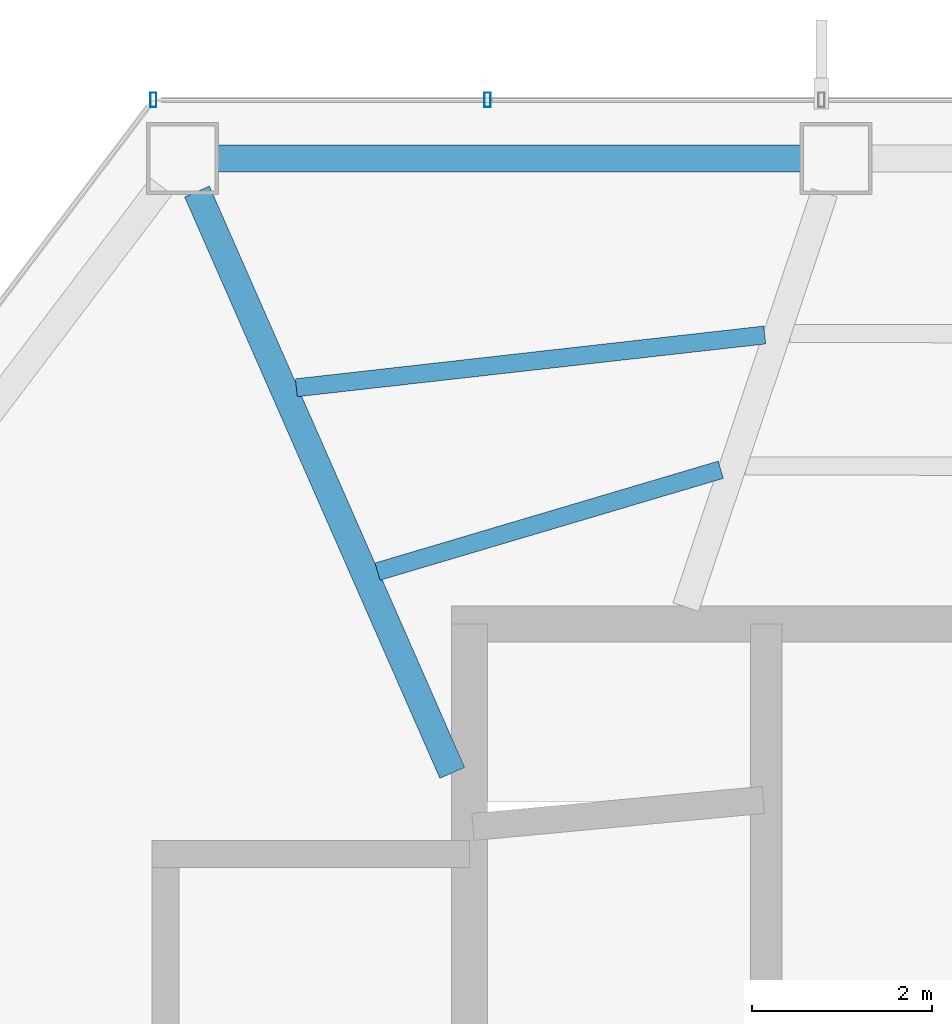
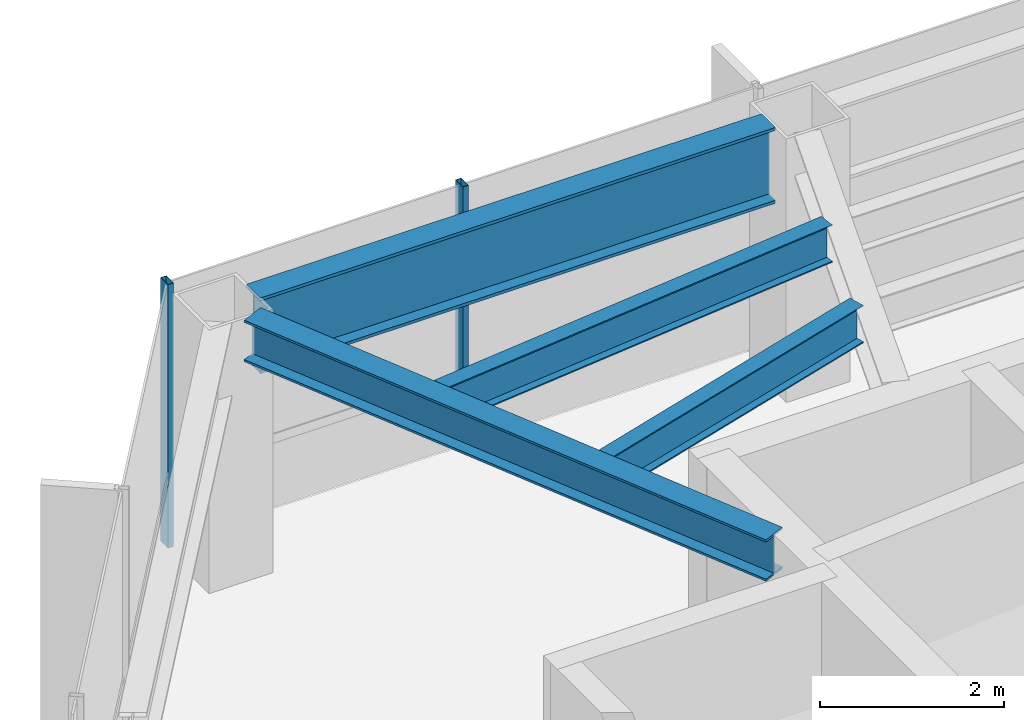
# One storey, part 11 of 28: 4 beams, 2 members, 1 element without a shape of its own.
"""IFC4 building model written with IfcOpenShell, lengths in metres."""

from ifc_helpers import new_model, si_unit, direction, frame, origin, origin_2d, place, context, subcontext, project, spatial, hollow_rectangle, i_section, extrude, material, layer, layer_set, material_profile, profile_set, type_object, element, aggregate, save


model = new_model("IFC4")

# Units and contexts
model_context = context("Model", 3, precision=1e-05, world=origin(), true_north=direction((0.0, 1.0)))
body_context = subcontext(model_context, "Body", "Model", "MODEL_VIEW")
ifc_project = project(units=[si_unit("LENGTHUNIT", "METRE"), si_unit("AREAUNIT", "SQUARE_METRE"), si_unit("VOLUMEUNIT", "CUBIC_METRE"), si_unit("PLANEANGLEUNIT", "RADIAN"), si_unit("MASSUNIT", "GRAM", prefix="KILO")], contexts=[model_context])

# Site, building, storey
site_placement = place(None, origin())
site = spatial("IfcSite", under=ifc_project, at=site_placement, CompositionType="ELEMENT")
building_placement = place(site_placement, origin())
building = spatial("IfcBuilding", under=site, at=building_placement, Name="Zarrinselat Tower", CompositionType="ELEMENT")
storey_placement = place(building_placement, frame((0.0, 0.0, 123.419921875)))
storey = spatial("IfcBuildingStorey", under=building, at=storey_placement, Name="L29", CompositionType="ELEMENT", Elevation=123.419921875)

# Beams
ifc_material_1 = material(Name="Steel S355J2", Category="steel")
ifc_material_profile_1 = material_profile(ifc_material_1, i_section(OverallWidth=0.300048828125, OverallDepth=0.550048828125, WebThickness=0.014892578125, FlangeThickness=0.029052734375, at=origin_2d()), Name="HEB 550")
ifc_profile_set_1 = profile_set([ifc_material_profile_1], Name="Steel S355J2")
beam_type_1 = type_object("IfcBeamType", Name="BM-HEB550", PredefinedType="BEAM", material=ifc_profile_set_1)
beam_1_placement = place(storey_placement, frame((25.578125, 48.24853515625, 3.22509765625), z_axis=(0.40207866755, -0.915605125096, 0.0), x_axis=(0.915605125096, 0.40207866755, 0.0)))
element("IfcBeam", 1, at=beam_1_placement, inside=storey, type_object=beam_type_1, Name="L29 Radial Primary Girder RG05", PredefinedType="BEAM", context=body_context, shape_type="SweptSolid", body=[
    extrude(i_section(OverallWidth=0.300048828125, OverallDepth=0.550048828125, WebThickness=0.014892578125, FlangeThickness=0.029052734375, at=origin_2d()), origin(), (0.0, 0.0, 1.0), 7.04296875),
])
ifc_material_2 = material(Name="Steel S460M", Category="steel")
ifc_material_profile_2 = material_profile(ifc_material_2, i_section(OverallWidth=0.302001953125, OverallDepth=1.008056640625, WebThickness=0.02099609375, FlangeThickness=0.0400390625, at=origin_2d()), Name="HEM 1000")
ifc_profile_set_2 = profile_set([ifc_material_profile_2], Name="Steel S460M")
beam_type_2 = type_object("IfcBeamType", Name="BM-HEM1000", PredefinedType="BEAM", material=ifc_profile_set_2)
beam_2_placement = place(storey_placement, frame((25.8046875, 48.61669921875, 2.99609375), z_axis=(1.0, 0.0, 0.0), x_axis=(0.0, 1.0, 0.0)))
element("IfcBeam", 2, at=beam_2_placement, inside=storey, type_object=beam_type_2, Name="L29 Perimeter Spandrel Girder SP04", PredefinedType="BEAM", context=body_context, shape_type="SweptSolid", body=[
    extrude(i_section(OverallWidth=0.302001953125, OverallDepth=1.008056640625, WebThickness=0.02099609375, FlangeThickness=0.0400390625, at=origin_2d()), origin(), (0.0, 0.0, 1.0), 6.473388671875),
])
ifc_material_3 = material(Name="Steel S355J2", Category="steel")
ifc_material_profile_3 = material_profile(ifc_material_3, i_section(OverallWidth=0.199951171875, OverallDepth=0.5, WebThickness=0.01025390625, FlangeThickness=0.01611328125, at=origin_2d()), Name="IPE 500")
ifc_profile_set_3 = profile_set([ifc_material_profile_3], Name="Steel S355J2")
beam_type_3 = type_object("IfcBeamType", Name="BM-IPE500", PredefinedType="JOIST", material=ifc_profile_set_3)
beam_3_placement = place(storey_placement, frame((26.68017578125, 46.07177734375, 3.25), z_axis=(0.993707108531, 0.112009742676, 0.0), x_axis=(-0.112009742676, 0.993707108531, 0.0)))
element("IfcBeam", 3, at=beam_3_placement, inside=storey, type_object=beam_type_3, Name="L29 Composite Floor Joist 9-1", PredefinedType="JOIST", context=body_context, shape_type="SweptSolid", body=[
    extrude(i_section(OverallWidth=0.199951171875, OverallDepth=0.5, WebThickness=0.01025390625, FlangeThickness=0.01611328125, at=origin_2d()), origin(), (0.0, 0.0, 1.0), 5.22900390625),
])
beam_4_placement = place(storey_placement, frame((27.581298828125, 44.032470703125, 3.25), z_axis=(0.958664682991, 0.284538267348, 0.0), x_axis=(-0.284538267348, 0.958664682991, 0.0)))
element("IfcBeam", 4, at=beam_4_placement, inside=storey, type_object=beam_type_3, Name="L29 Composite Floor Joist 9-2", PredefinedType="JOIST", context=body_context, shape_type="SweptSolid", body=[
    extrude(i_section(OverallWidth=0.199951171875, OverallDepth=0.5, WebThickness=0.01025390625, FlangeThickness=0.01611328125, at=origin_2d()), origin(), (0.0, 0.0, 1.0), 3.9716796875),
])

# Curtain wall, members
ifc_material_4 = material(Name="Extruded Aluminium Alloy EN AW-6063 T6", Category="aluminium")
ifc_layer = layer(ifc_material_4, 0.175048828125)
ifc_layer_set = layer_set([ifc_layer], Name="Extruded Aluminium Alloy EN AW-6063 T6")
curtain_wall_type = type_object("IfcCurtainWallType", Name="CWS-HTL", PredefinedType="NOTDEFINED", material=ifc_layer_set)
curtain_wall_placement = place(storey_placement, origin())
curtain_wall = element("IfcCurtainWall", 5, at=curtain_wall_placement, inside=storey, type_object=curtain_wall_type, Name="L29 Unitised Curtain Wall CW-L29-E01", PredefinedType="NOTDEFINED")
ifc_material_5 = material(Name="Extruded Aluminium Alloy EN AW-6063 T6", Category="aluminium")
ifc_material_profile_4 = material_profile(ifc_material_5, hollow_rectangle(XDim=0.070068359375, YDim=0.159912109375, WallThickness=0.00390625, at=origin_2d()), Name="RHS 160x70x4")
ifc_profile_set_4 = profile_set([ifc_material_profile_4], Name="Extruded Aluminium Alloy EN AW-6063 T6")
member_type = type_object("IfcMemberType", Name="MEM-CW-MUL2", PredefinedType="MULLION", material=ifc_profile_set_4)
member_1_placement = place(storey_placement, frame((28.799072265625, 49.2666015625, 0.0), z_axis=(0.0, 0.0, 1.0), x_axis=(-1.0, 0.0, 0.0)))
member_1 = element("IfcMember", 6, at=member_1_placement, type_object=member_type, Name="CW-L29-E01 Mullion 8", PredefinedType="MULLION", context=body_context, shape_type="SweptSolid", body=[
    extrude(hollow_rectangle(XDim=0.070068359375, YDim=0.159912109375, WallThickness=0.00390625, at=origin_2d()), origin(), (0.0, 0.0, 1.0), 3.5),
])
member_2_placement = place(storey_placement, frame((25.093505859375, 49.2666015625, 0.0), z_axis=(0.0, 0.0, 1.0), x_axis=(-1.0, 0.0, 0.0)))
member_2 = element("IfcMember", 7, at=member_2_placement, type_object=member_type, Name="CW-L29-E01 Mullion 9", PredefinedType="MULLION", context=body_context, shape_type="SweptSolid", body=[
    extrude(hollow_rectangle(XDim=0.070068359375, YDim=0.159912109375, WallThickness=0.00390625, at=origin_2d()), origin(), (0.0, 0.0, 1.0), 3.5),
])
aggregate(curtain_wall, [member_1, member_2])

save(model, "model.ifc")
